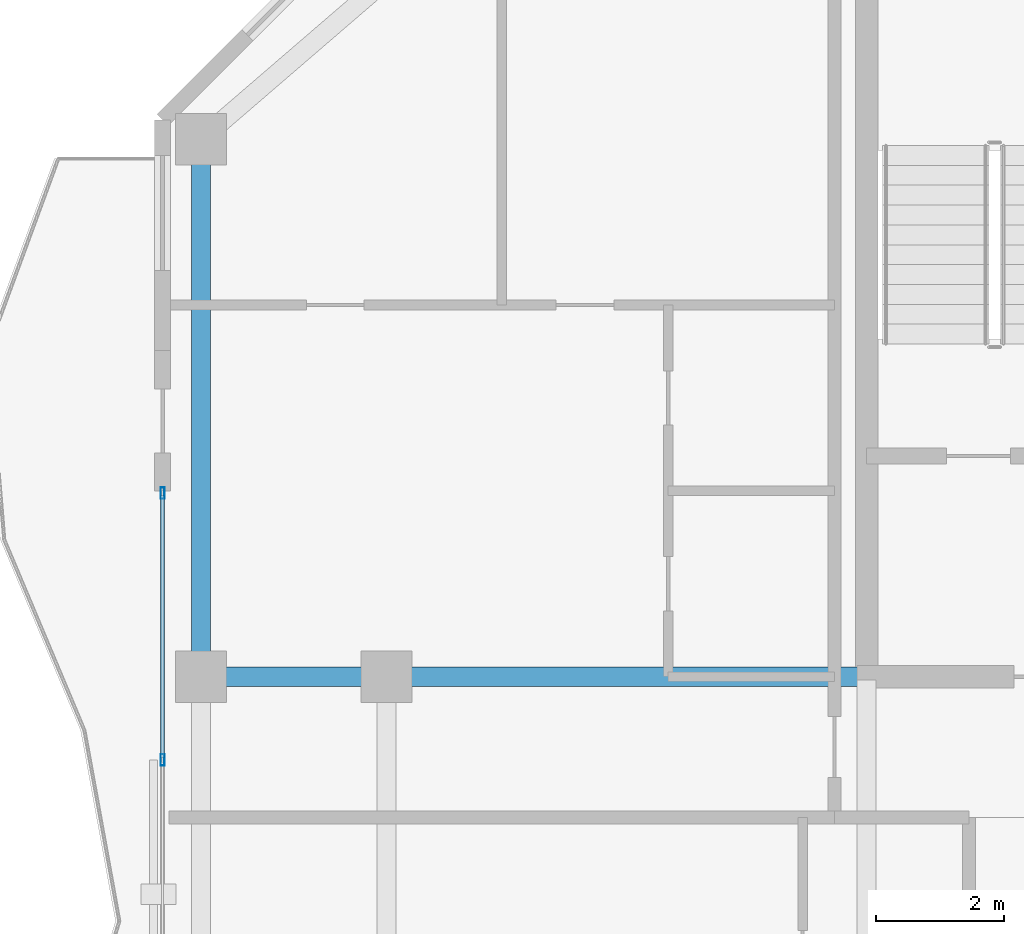
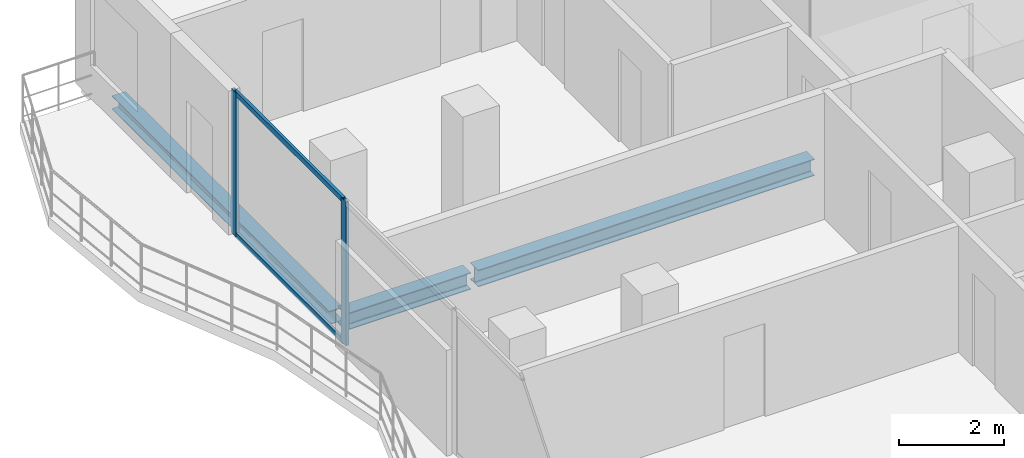
# One storey, part 9 of 24: 4 members, 3 beams, 1 element without a shape of its own.
"""IFC4 building model written with IfcOpenShell, lengths in metres."""

from ifc_helpers import new_model, si_unit, direction, frame, origin, origin_2d, place, context, subcontext, project, spatial, hollow_rectangle, i_section, extrude, material, layer, layer_set, material_profile, profile_set, type_object, element, aggregate, save


model = new_model("IFC4")

# Units and contexts
model_context = context("Model", 3, precision=1e-05, world=origin(), true_north=direction((0.0, 1.0)))
body_context = subcontext(model_context, "Body", "Model", "MODEL_VIEW")
ifc_project = project(units=[si_unit("LENGTHUNIT", "METRE"), si_unit("AREAUNIT", "SQUARE_METRE"), si_unit("VOLUMEUNIT", "CUBIC_METRE"), si_unit("PLANEANGLEUNIT", "RADIAN"), si_unit("MASSUNIT", "GRAM", prefix="KILO")], contexts=[model_context])

# Site, building, storey
site_placement = place(None, origin())
site = spatial("IfcSite", under=ifc_project, at=site_placement, CompositionType="ELEMENT")
building_placement = place(site_placement, origin())
building = spatial("IfcBuilding", under=site, at=building_placement, Name="Catumbela Crestline Tower", CompositionType="ELEMENT")
storey_placement = place(building_placement, frame((0.0, 0.0, 157.8)))
storey = spatial("IfcBuildingStorey", under=building, at=storey_placement, Name="L40", CompositionType="ELEMENT", Elevation=157.8)

# Beams
ifc_material_1 = material(Name="Structural steel S355J2", Category="steel")
ifc_material_profile_1 = material_profile(ifc_material_1, i_section(OverallWidth=0.3, OverallDepth=0.39, WebThickness=0.011, FlangeThickness=0.019, FilletRadius=0.027, at=origin_2d()), Name="HEA 400")
ifc_profile_set_1 = profile_set([ifc_material_profile_1], Name="Structural steel S355J2")
beam_type_1 = type_object("IfcBeamType", Name="BG-HEA400", PredefinedType="BEAM", material=ifc_profile_set_1)
beam_1_placement = place(storey_placement, frame((5.68, 30.8, -0.455), z_axis=(1.0, 0.0, 0.0), x_axis=(0.0, 1.0, 0.0)))
element("IfcBeam", 1, at=beam_1_placement, inside=storey, type_object=beam_type_1, Name="L40 Beam BM-L40-M06", PredefinedType="BEAM", context=body_context, shape_type="SweptSolid", body=[
    extrude(i_section(OverallWidth=0.3, OverallDepth=0.39, WebThickness=0.011, FlangeThickness=0.019, FilletRadius=0.027, at=origin_2d()), origin(), (0.0, 0.0, 1.0), 2.74),
])
beam_2_placement = place(storey_placement, frame((8.58, 30.8, -0.455), z_axis=(1.0, 0.0, 0.0), x_axis=(0.0, 1.0, 0.0)))
element("IfcBeam", 2, at=beam_2_placement, inside=storey, type_object=beam_type_1, Name="L40 Beam BM-L40-M07", PredefinedType="BEAM", context=body_context, shape_type="SweptSolid", body=[
    extrude(i_section(OverallWidth=0.3, OverallDepth=0.39, WebThickness=0.011, FlangeThickness=0.019, FilletRadius=0.027, at=origin_2d()), origin(), (0.0, 0.0, 1.0), 7.37),
])

# Curtain wall, members
ifc_material_2 = material(Name="Aluminium alloy AW-6060-T66", Category="aluminium")
ifc_layer = layer(ifc_material_2, 0.18, Name="Aluminium alloy AW-6060-T66")
ifc_layer_set = layer_set([ifc_layer], Name="Aluminium alloy AW-6060-T66")
curtain_wall_type = type_object("IfcCurtainWallType", Name="CWU-Z3", PredefinedType="USERDEFINED", material=ifc_layer_set)
curtain_wall_placement = place(storey_placement, origin())
curtain_wall = element("IfcCurtainWall", 3, at=curtain_wall_placement, inside=storey, type_object=curtain_wall_type, Name="L40 Unitised Curtain Wall CW-L40-E9S2", ObjectType="UNITISED", PredefinedType="USERDEFINED")
ifc_material_profile_2 = material_profile(ifc_material_2, hollow_rectangle(XDim=0.065, YDim=0.18, WallThickness=0.004, at=origin_2d()), Name="ALU 180x65x4")
ifc_profile_set_2 = profile_set([ifc_material_profile_2], Name="Aluminium alloy AW-6060-T66")
member_type_1 = type_object("IfcMemberType", Name="MUL-180X65", PredefinedType="MULLION", material=ifc_profile_set_2)
member_1_placement = place(storey_placement, frame((5.0, 33.6675, 0.0), z_axis=(0.0, 0.0, 1.0), x_axis=(1.0, 0.0, 0.0)))
member_1 = element("IfcMember", 4, at=member_1_placement, type_object=member_type_1, Name="CWU-Z3 mullion 1", PredefinedType="MULLION", context=body_context, shape_type="SweptSolid", body=[
    extrude(hollow_rectangle(XDim=0.065, YDim=0.18, WallThickness=0.004, at=origin_2d()), origin(), (0.0, 0.0, 1.0), 3.33),
])
member_2_placement = place(storey_placement, frame((5.0, 29.5, 0.0), z_axis=(0.0, 0.0, 1.0), x_axis=(1.0, 0.0, 0.0)))
member_2 = element("IfcMember", 5, at=member_2_placement, type_object=member_type_1, Name="CWU-Z3 mullion 2", PredefinedType="MULLION", context=body_context, shape_type="SweptSolid", body=[
    extrude(hollow_rectangle(XDim=0.065, YDim=0.18, WallThickness=0.004, at=origin_2d()), origin(), (0.0, 0.0, 1.0), 3.33),
])

# Beam
ifc_material_profile_3 = material_profile(ifc_material_1, i_section(OverallWidth=0.3, OverallDepth=0.31, WebThickness=0.009, FlangeThickness=0.0155, FilletRadius=0.027, at=origin_2d()), Name="HEA 320")
ifc_profile_set_3 = profile_set([ifc_material_profile_3], Name="Structural steel S355J2")
beam_type_2 = type_object("IfcBeamType", Name="BS-HEA320", PredefinedType="SPANDREL", material=ifc_profile_set_3)
beam_3_placement = place(storey_placement, frame((5.6, 30.88, -0.415), z_axis=(0.0, 1.0, 0.0), x_axis=(-1.0, 0.0, 0.0)))
element("IfcBeam", 6, at=beam_3_placement, inside=storey, type_object=beam_type_2, Name="L40 Spandrel SP-L40-SN15", PredefinedType="SPANDREL", context=body_context, shape_type="SweptSolid", body=[
    extrude(i_section(OverallWidth=0.3, OverallDepth=0.31, WebThickness=0.009, FlangeThickness=0.0155, FilletRadius=0.027, at=origin_2d()), origin(), (0.0, 0.0, 1.0), 8.24),
])

# Member
ifc_material_profile_4 = material_profile(ifc_material_2, hollow_rectangle(XDim=0.06, YDim=0.12, WallThickness=0.0035, at=origin_2d()), Name="ALU 120x60x3.5")
ifc_profile_set_4 = profile_set([ifc_material_profile_4], Name="Aluminium alloy AW-6060-T66")
member_type_2 = type_object("IfcMemberType", Name="TRN-120X60", PredefinedType="USERDEFINED", material=ifc_profile_set_4)
member_3_placement = place(storey_placement, frame((5.0, 33.635, 0.03), z_axis=(0.0, -1.0, 0.0), x_axis=(1.0, 0.0, 0.0)))
member_3 = element("IfcMember", 7, at=member_3_placement, type_object=member_type_2, Name="CWU-Z3 transom 1.1", ObjectType="TRANSOM", PredefinedType="USERDEFINED", context=body_context, shape_type="SweptSolid", body=[
    extrude(hollow_rectangle(XDim=0.06, YDim=0.12, WallThickness=0.0035, at=origin_2d()), origin(), (0.0, 0.0, 1.0), 4.1025),
])

member_4_placement = place(storey_placement, frame((5.0, 33.635, 3.3), z_axis=(0.0, -1.0, 0.0), x_axis=(1.0, 0.0, 0.0)))
member_4 = element("IfcMember", 8, at=member_4_placement, type_object=member_type_2, Name="CWU-Z3 transom 1.2", ObjectType="TRANSOM", PredefinedType="USERDEFINED", context=body_context, shape_type="SweptSolid", body=[
    extrude(hollow_rectangle(XDim=0.06, YDim=0.12, WallThickness=0.0035, at=origin_2d()), origin(), (0.0, 0.0, 1.0), 4.1025),
])

aggregate(curtain_wall, [member_1, member_2, member_3, member_4])

save(model, "model.ifc")
